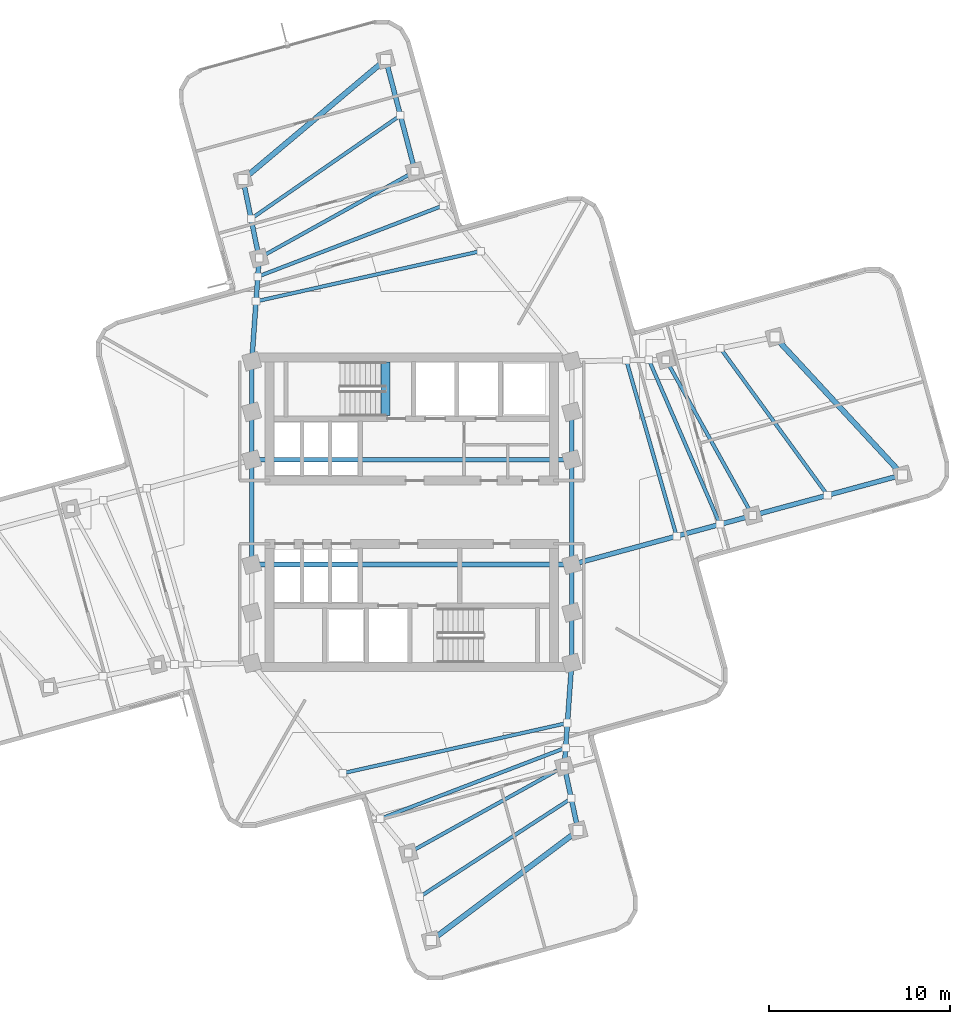
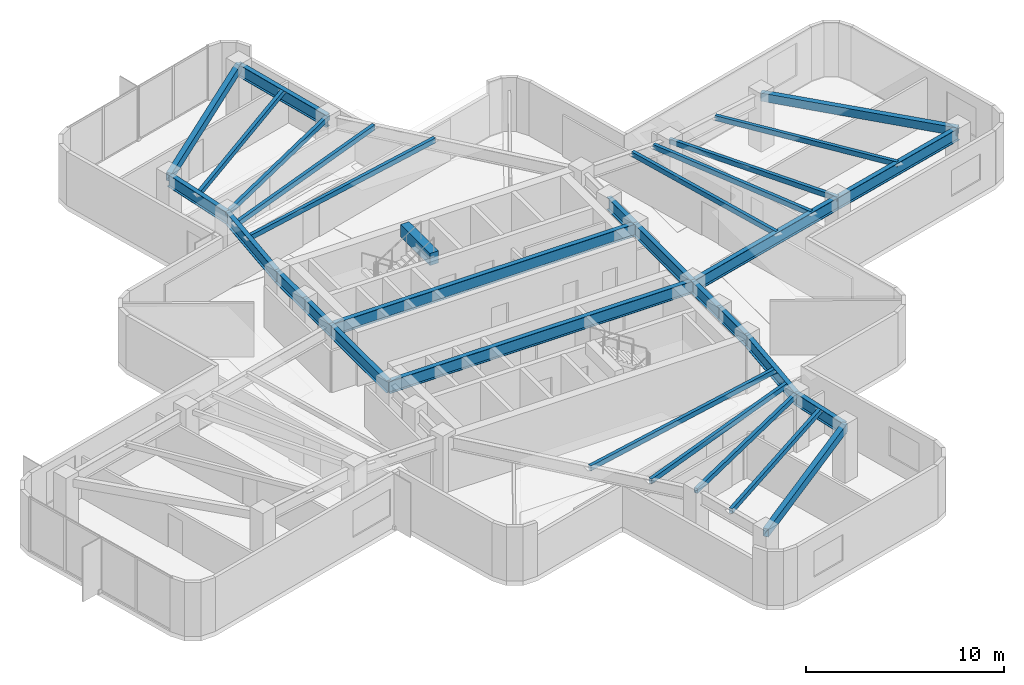
# One storey, part 4 of 12: 32 beams.
"""IFC4 building model written with IfcOpenShell, lengths in metres."""

import ifcopenshell
import ifcopenshell.guid

model = None  # the IFC model being written
_history = None  # IfcOwnerHistory: only IFC2X3 demands one
_inside = {}  # id of a spatial element -> (the spatial element, [elements in it])
_under = {}  # id of a project, library or spatial element -> (it, [spatial elements below it])
_declared = {}  # id of a project -> (the project, [libraries it declares])
_typed = {}  # id of a type object -> (the type object, [elements of that type])
_made_of = {}  # id of a material, layer set ... -> (it, [elements and type objects made of it])


def new_model(schema):
    """Start an empty IFC model of exactly this schema.

    Asked for "IFC4X3", IfcOpenShell would pick the latest addendum, in which some entities
    have other attributes; the version numbers below select the first issue.
    IFC2X3 requires an IfcOwnerHistory on every rooted entity: one is made here for all.
    """
    global model, _history
    if schema == "IFC4X3":
        model = ifcopenshell.file(schema_version=(4, 3, 0, 0))
    else:
        model = ifcopenshell.file(schema=schema)
    _inside.clear()
    _under.clear()
    _declared.clear()
    _typed.clear()
    _made_of.clear()
    _history = None
    if model.schema == "IFC2X3":
        org = make("IfcOrganization", Name="unknown")
        user = make(
            "IfcPersonAndOrganization",
            ThePerson=make("IfcPerson", FamilyName="unknown"),
            TheOrganization=org,
        )
        app = make(
            "IfcApplication",
            ApplicationDeveloper=org,
            Version="unknown",
            ApplicationFullName="unknown",
            ApplicationIdentifier="unknown",
        )
        _history = make(
            "IfcOwnerHistory",
            OwningUser=user,
            OwningApplication=app,
            ChangeAction="ADDED",
            CreationDate=0,
        )
    return model


def make(cls, **values):
    """One entity of the class cls with the attributes given. An attribute that is None is left unset."""
    return model.create_entity(
        cls, **{name: value for name, value in values.items() if value is not None}
    )


def rooted(cls, **values):
    """An entity with a GlobalId (a new one), such as an element, a storey or a relation."""
    return make(cls, GlobalId=ifcopenshell.guid.new(), OwnerHistory=_history, **values)


def si_unit(unit_type, name, prefix=None):
    """IfcSIUnit, for example si_unit("LENGTHUNIT", "METRE", prefix="MILLI")."""
    return make("IfcSIUnit", UnitType=unit_type, Prefix=prefix, Name=name)


def assignment(units):
    """IfcUnitAssignment: the units of a project."""
    return None if units is None else make("IfcUnitAssignment", Units=units)


def point(xyz):
    """IfcCartesianPoint."""
    return None if xyz is None else make("IfcCartesianPoint", Coordinates=xyz)


def direction(xyz):
    """IfcDirection."""
    return None if xyz is None else make("IfcDirection", DirectionRatios=xyz)


def frame(location, z_axis=None, x_axis=None):
    """IfcAxis2Placement3D, a coordinate frame: its origin and axes. An axis left out is left unset."""
    return make(
        "IfcAxis2Placement3D",
        Location=point(location),
        Axis=direction(z_axis),
        RefDirection=direction(x_axis),
    )


def frame_2d(location, x_axis=None):
    """IfcAxis2Placement2D, a coordinate frame in the plane: its origin and x axis."""
    return make(
        "IfcAxis2Placement2D", Location=point(location), RefDirection=direction(x_axis)
    )


def origin():
    """The frame at (0, 0, 0) with its axes left unset."""
    return frame((0.0, 0.0, 0.0))


def origin_2d():
    """The frame at (0, 0) in the plane with its x axis left unset."""
    return frame_2d((0.0, 0.0))


def place(relative_to, where):
    """IfcLocalPlacement: puts the frame where relative to a parent placement (None: the world)."""
    return make(
        "IfcLocalPlacement", PlacementRelTo=relative_to, RelativePlacement=where
    )


def context(
    kind, dimensions, precision=None, world=None, true_north=None, identifier=None
):
    """IfcGeometricRepresentationContext, for example the 3D "Model" context."""
    return make(
        "IfcGeometricRepresentationContext",
        ContextIdentifier=identifier,
        ContextType=kind,
        CoordinateSpaceDimension=dimensions,
        Precision=precision,
        WorldCoordinateSystem=world,
        TrueNorth=true_north,
    )


def subcontext(parent, identifier, kind, view, scale=None):
    """IfcGeometricRepresentationSubContext, for example "Body" below "Model"."""
    return make(
        "IfcGeometricRepresentationSubContext",
        ContextIdentifier=identifier,
        ContextType=kind,
        ParentContext=parent,
        TargetScale=scale,
        TargetView=view,
    )


def project(units=None, contexts=None):
    """IfcProject with its units and contexts."""
    return rooted(
        "IfcProject",
        Name="project",
        RepresentationContexts=contexts,
        UnitsInContext=assignment(units),
    )


def spatial(cls, under=None, at=None, **own):
    """A site, building, storey or space (cls), placed at a placement, below another one or the project."""
    s = rooted(cls, ObjectPlacement=at, **own)
    if under is not None:
        _under.setdefault(under.id(), (under, []))[1].append(s)
    return s


def profile(cls, at=None, kind="AREA", **sizes):
    """A parametric profile (cls). Its sizes go by their IFC names, for example OverallWidth=200.0."""
    return make(cls, ProfileType=kind, Position=at, **sizes)


def rectangle(**sizes):
    """IfcRectangleProfileDef."""
    return profile("IfcRectangleProfileDef", **sizes)


def hollow_rectangle(**sizes):
    """IfcRectangleHollowProfileDef."""
    return profile("IfcRectangleHollowProfileDef", **sizes)


def i_section(**sizes):
    """IfcIShapeProfileDef."""
    return profile("IfcIShapeProfileDef", **sizes)


def extrude(swept, where, along, depth):
    """IfcExtrudedAreaSolid: the profile swept, set in the frame where, extruded along a direction by depth."""
    return make(
        "IfcExtrudedAreaSolid",
        SweptArea=swept,
        Position=where,
        ExtrudedDirection=direction(along),
        Depth=depth,
    )


def shape(context_of_items, identifier, shape_type, items):
    """IfcShapeRepresentation: the items that make up one representation, for example the "Body"."""
    return make(
        "IfcShapeRepresentation",
        ContextOfItems=context_of_items,
        RepresentationIdentifier=identifier,
        RepresentationType=shape_type,
        Items=items,
    )


def material(Name=None, Category=None):
    """IfcMaterial."""
    return make("IfcMaterial", Name=Name, Category=Category)


def material_profile(
    of_material, cross_section, Name=None, Category=None, Priority=None
):
    """IfcMaterialProfile: a cross section and its material."""
    return make(
        "IfcMaterialProfile",
        Name=Name,
        Material=of_material,
        Profile=cross_section,
        Priority=Priority,
        Category=Category,
    )


def profile_set(profiles, Name=None, composite=None):
    """IfcMaterialProfileSet."""
    return make(
        "IfcMaterialProfileSet",
        Name=Name,
        MaterialProfiles=profiles,
        CompositeProfile=composite,
    )


def made_of(thing, what):
    """Note that an element or type object is made of a material, layer set ...; save() writes the relation."""
    if what is not None:
        _made_of.setdefault(what.id(), (what, []))[1].append(thing)
    return thing


def type_object(cls, material=None, **own):
    """A type object (cls), such as IfcWallType, which elements share."""
    return made_of(rooted(cls, **own), material)


def element(
    cls,
    number,
    at=None,
    inside=None,
    cuts=None,
    type_object=None,
    material=None,
    context=None,
    identifier="Body",
    shape_type=None,
    held_by="IfcProductDefinitionShape",
    body=None,
    shapes=None,
    **own,
):
    """One element of the class cls, such as IfcWall. Its Tag is "e" and its number.

    at: its placement. inside: the storey or other place that contains it. cuts: it is an
    opening in that element (IfcRelVoidsElement). A single representation is given by context,
    identifier, shape_type and body (its items); several are given by shapes. held_by: the class
    of the entity that holds the representations. save() writes the other relations.
    """
    e = rooted(cls, Tag="e%d" % number, ObjectPlacement=at, **own)
    if body is not None:
        shapes = [shape(context, identifier, shape_type, body)]
    if shapes is not None:
        e.Representation = make(held_by, Representations=shapes)
    if inside is not None:
        _inside.setdefault(inside.id(), (inside, []))[1].append(e)
    if cuts is not None:
        rooted(
            "IfcRelVoidsElement", RelatingBuildingElement=cuts, RelatedOpeningElement=e
        )
    if type_object is not None:
        _typed.setdefault(type_object.id(), (type_object, []))[1].append(e)
    return made_of(e, material)


def aggregate(whole, parts):
    """IfcRelAggregates: a whole, such as a stair, and the parts it consists of."""
    return rooted("IfcRelAggregates", RelatingObject=whole, RelatedObjects=parts)


def save(model, path):
    """Write the relations noted so far, then the file.

    IfcRelAggregates (storeys below a building ...), IfcRelContainedInSpatialStructure (elements
    in a storey), IfcRelDefinesByType, IfcRelAssociatesMaterial and IfcRelDeclares: one each for
    every whole, place, type object, material and project.
    """
    for whole, parts in _under.values():
        aggregate(whole, parts)
    for where, things in _inside.values():
        rooted(
            "IfcRelContainedInSpatialStructure",
            RelatedElements=things,
            RelatingStructure=where,
        )
    for kind, things in _typed.values():
        rooted("IfcRelDefinesByType", RelatedObjects=things, RelatingType=kind)
    for what, things in _made_of.values():
        rooted("IfcRelAssociatesMaterial", RelatedObjects=things, RelatingMaterial=what)
    for by, libraries in _declared.values():
        rooted("IfcRelDeclares", RelatingContext=by, RelatedDefinitions=libraries)
    model.write(path)


model = new_model("IFC4")

# Units and contexts
model_context = context("Model", 3, precision=1e-05, world=origin(), true_north=direction((0.0, 1.0)))
body_context = subcontext(model_context, "Body", "Model", "MODEL_VIEW")
ifc_project = project(units=[si_unit("LENGTHUNIT", "METRE"), si_unit("AREAUNIT", "SQUARE_METRE"), si_unit("VOLUMEUNIT", "CUBIC_METRE"), si_unit("PLANEANGLEUNIT", "RADIAN"), si_unit("MASSUNIT", "GRAM", prefix="KILO")], contexts=[model_context])

# Site, building, storey
site_placement = place(None, origin())
site = spatial("IfcSite", under=ifc_project, at=site_placement, CompositionType="ELEMENT")
building_placement = place(site_placement, origin())
building = spatial("IfcBuilding", under=site, at=building_placement, Name="Solmarez Civic Tower", CompositionType="ELEMENT")
storey_placement = place(building_placement, frame((0.0, 0.0, 134.280029296875)))
storey = spatial("IfcBuildingStorey", under=building, at=storey_placement, Name="L35", CompositionType="ELEMENT", Elevation=134.280029296875)

# Beams
ifc_material_1 = material(Name="Steel S355", Category="steel")
ifc_material_profile_1 = material_profile(ifc_material_1, hollow_rectangle(XDim=0.199951171875, YDim=0.300048828125, WallThickness=0.011962890625, at=origin_2d()), Name="HSS300X200X12")
ifc_profile_set_1 = profile_set([ifc_material_profile_1], Name="Steel S355")
beam_type_1 = type_object("IfcBeamType", Name="BM-JS-HSS300X200", PredefinedType="JOIST", material=ifc_profile_set_1)
beam_1_placement = place(storey_placement, frame((18.860107421875, -0.18310546875, 3.169921875), z_axis=(-0.485852902718, 0.874040592261, 0.0), x_axis=(-0.874040592261, -0.485852902718, 0.0)))
element("IfcBeam", 1, at=beam_1_placement, inside=storey, type_object=beam_type_1, Name="L35 Secondary Floor Joist BM-L35-EA-T1", PredefinedType="JOIST", context=body_context, shape_type="SweptSolid", body=[
    extrude(hollow_rectangle(XDim=0.199951171875, YDim=0.300048828125, WallThickness=0.011962890625, at=origin_2d()), origin(), (0.0, 0.0, 1.0), 9.87158203125),
])
beam_2_placement = place(storey_placement, frame((23.006103515625, 0.94091796875, 3.169921875), z_axis=(-0.589058914091, 0.808090091345, 0.0), x_axis=(-0.808090091345, -0.589058914091, 0.0)))
element("IfcBeam", 2, at=beam_2_placement, inside=storey, type_object=beam_type_1, Name="L35 Secondary Floor Joist JS-L35-EA-M2", PredefinedType="JOIST", context=body_context, shape_type="SweptSolid", body=[
    extrude(hollow_rectangle(XDim=0.199951171875, YDim=0.300048828125, WallThickness=0.011962890625, at=origin_2d()), origin(), (0.0, 0.0, 1.0), 10.05859375),
])
beam_3_placement = place(storey_placement, frame((14.656005859375, -1.323974609375, 3.169921875), z_axis=(-0.27492825036, 0.961464745664, 0.0), x_axis=(-0.961464745664, -0.27492825036, 0.0)))
element("IfcBeam", 3, at=beam_3_placement, inside=storey, type_object=beam_type_1, Name="L35 Secondary Floor Joist JS-L35-EA-M11", PredefinedType="JOIST", context=body_context, shape_type="SweptSolid", body=[
    extrude(hollow_rectangle(XDim=0.199951171875, YDim=0.300048828125, WallThickness=0.011962890625, at=origin_2d()), origin(), (0.0, 0.0, 1.0), 10.118896484375),
])
beam_4_placement = place(storey_placement, frame((17.05810546875, -0.672119140625, 3.169921875), z_axis=(-0.396735074316, 0.917933157048, 0.0), x_axis=(-0.917933157048, -0.396735074316, 0.0)))
element("IfcBeam", 4, at=beam_4_placement, inside=storey, type_object=beam_type_1, Name="L35 Secondary Floor Joist JS-L35-EA-M12", PredefinedType="JOIST", context=body_context, shape_type="SweptSolid", body=[
    extrude(hollow_rectangle(XDim=0.199951171875, YDim=0.300048828125, WallThickness=0.011962890625, at=origin_2d()), origin(), (0.0, 0.0, 1.0), 9.91357421875),
])
beam_5_placement = place(storey_placement, frame((0.18310546875, 18.860107421875, 3.169921875), z_axis=(-0.874040592261, -0.485852902718, 0.0), x_axis=(0.485852902718, -0.874040592261, 0.0)))
element("IfcBeam", 5, at=beam_5_placement, inside=storey, type_object=beam_type_1, Name="L35 Secondary Floor Joist BM-L35-NA-T1", PredefinedType="JOIST", context=body_context, shape_type="SweptSolid", body=[
    extrude(hollow_rectangle(XDim=0.199951171875, YDim=0.300048828125, WallThickness=0.011962890625, at=origin_2d()), origin(), (0.0, 0.0, 1.0), 9.87158203125),
])
beam_6_placement = place(storey_placement, frame((-0.626953125, 21.9560546875, 3.169921875), z_axis=(-0.822185194468, -0.56922008573, 0.0), x_axis=(0.56922008573, -0.822185194468, 0.0)))
element("IfcBeam", 6, at=beam_6_placement, inside=storey, type_object=beam_type_1, Name="L35 Secondary Floor Joist JS-L35-NA-M2", PredefinedType="JOIST", context=body_context, shape_type="SweptSolid", body=[
    extrude(hollow_rectangle(XDim=0.199951171875, YDim=0.300048828125, WallThickness=0.011962890625, at=origin_2d()), origin(), (0.0, 0.0, 1.0), 10.048828125),
])
beam_7_placement = place(storey_placement, frame((3.822998046875, 14.446044921875, 3.169921875), z_axis=(-0.975887310906, -0.218274955988, 0.0), x_axis=(0.218274955988, -0.975887310906, 0.0)))
element("IfcBeam", 7, at=beam_7_placement, inside=storey, type_object=beam_type_1, Name="L35 Secondary Floor Joist JS-L35-NA-M11", PredefinedType="JOIST", context=body_context, shape_type="SweptSolid", body=[
    extrude(hollow_rectangle(XDim=0.199951171875, YDim=0.300048828125, WallThickness=0.011962890625, at=origin_2d()), origin(), (0.0, 0.0, 1.0), 12.745361328125),
])
beam_8_placement = place(storey_placement, frame((1.742919921875, 16.968017578125, 3.169921875), z_axis=(-0.933754408709, -0.357914381125, 0.0), x_axis=(0.357914381125, -0.933754408709, 0.0)))
element("IfcBeam", 8, at=beam_8_placement, inside=storey, type_object=beam_type_1, Name="L35 Secondary Floor Joist JS-L35-NA-M12", PredefinedType="JOIST", context=body_context, shape_type="SweptSolid", body=[
    extrude(hollow_rectangle(XDim=0.199951171875, YDim=0.300048828125, WallThickness=0.011962890625, at=origin_2d()), origin(), (0.0, 0.0, 1.0), 10.989013671875),
])
beam_9_placement = place(storey_placement, frame((-0.18310546875, -18.860107421875, 3.169921875), z_axis=(0.874040592261, 0.485852902718, 0.0), x_axis=(-0.485852902718, 0.874040592261, 0.0)))
element("IfcBeam", 9, at=beam_9_placement, inside=storey, type_object=beam_type_1, Name="L35 Secondary Floor Joist BM-L35-SA-T1", PredefinedType="JOIST", context=body_context, shape_type="SweptSolid", body=[
    extrude(hollow_rectangle(XDim=0.199951171875, YDim=0.300048828125, WallThickness=0.011962890625, at=origin_2d()), origin(), (0.0, 0.0, 1.0), 9.87158203125),
])
beam_10_placement = place(storey_placement, frame((0.449951171875, -21.279052734375, 3.169921875), z_axis=(0.83864684805, 0.54467555871, 0.0), x_axis=(-0.54467555871, 0.83864684805, 0.0)))
element("IfcBeam", 10, at=beam_10_placement, inside=storey, type_object=beam_type_1, Name="L35 Secondary Floor Joist JS-L35-SA-M2", PredefinedType="JOIST", context=body_context, shape_type="SweptSolid", body=[
    extrude(hollow_rectangle(XDim=0.199951171875, YDim=0.300048828125, WallThickness=0.011962890625, at=origin_2d()), origin(), (0.0, 0.0, 1.0), 9.987548828125),
])
beam_11_placement = place(storey_placement, frame((-3.822998046875, -14.446044921875, 3.169921875), z_axis=(0.975887310906, 0.218274955988, 0.0), x_axis=(-0.218274955988, 0.975887310906, 0.0)))
element("IfcBeam", 11, at=beam_11_placement, inside=storey, type_object=beam_type_1, Name="L35 Secondary Floor Joist JS-L35-SA-M11", PredefinedType="JOIST", context=body_context, shape_type="SweptSolid", body=[
    extrude(hollow_rectangle(XDim=0.199951171875, YDim=0.300048828125, WallThickness=0.011962890625, at=origin_2d()), origin(), (0.0, 0.0, 1.0), 12.745361328125),
])
beam_12_placement = place(storey_placement, frame((-1.742919921875, -16.968017578125, 3.169921875), z_axis=(0.933754408709, 0.357914381125, 0.0), x_axis=(-0.357914381125, 0.933754408709, 0.0)))
element("IfcBeam", 12, at=beam_12_placement, inside=storey, type_object=beam_type_1, Name="L35 Secondary Floor Joist JS-L35-SA-M12", PredefinedType="JOIST", context=body_context, shape_type="SweptSolid", body=[
    extrude(hollow_rectangle(XDim=0.199951171875, YDim=0.300048828125, WallThickness=0.011962890625, at=origin_2d()), origin(), (0.0, 0.0, 1.0), 10.989013671875),
])
ifc_material_2 = material(Name="Concrete C50/60", Category="concrete")
ifc_material_profile_2 = material_profile(ifc_material_2, rectangle(XDim=0.5, YDim=0.75, at=origin_2d()), Name="RC500X750")
ifc_profile_set_2 = profile_set([ifc_material_profile_2], Name="Concrete C50/60")
beam_type_2 = type_object("IfcBeamType", Name="BM-PR-RC500X750", PredefinedType="BEAM", material=ifc_profile_set_2)
beam_13_placement = place(storey_placement, frame((-1.449951171875, 5.340087890625, 3.23291015625), z_axis=(0.0, 1.0, 0.0), x_axis=(-1.0, 0.0, 0.0)))
element("IfcBeam", 13, at=beam_13_placement, inside=storey, type_object=beam_type_2, Name="L35 North Stair Threshold Beam", PredefinedType="BEAM", context=body_context, shape_type="SweptSolid", body=[
    extrude(rectangle(XDim=0.5, YDim=0.75, at=origin_2d()), origin(), (0.0, 0.0, 1.0), 2.9599609375),
])
ifc_material_profile_3 = material_profile(ifc_material_1, i_section(OverallWidth=0.26708984375, OverallDepth=0.761962890625, WebThickness=0.014404296875, FlangeThickness=0.021484375, at=origin_2d()), Name="W30X116")
ifc_profile_set_3 = profile_set([ifc_material_profile_3], Name="Steel S355")
beam_type_3 = type_object("IfcBeamType", Name="BM-PR-W30X116", PredefinedType="BEAM", material=ifc_profile_set_3)
beam_14_placement = place(storey_placement, frame((-8.85009765625, -2.89990234375, 2.93896484375), z_axis=(0.0, 1.0, 0.0), x_axis=(-1.0, 0.0, 0.0)))
element("IfcBeam", 14, at=beam_14_placement, inside=storey, type_object=beam_type_3, Name="L35 Primary Floor Beam BM-L35-HC2-HC3", PredefinedType="BEAM", context=body_context, shape_type="SweptSolid", body=[
    extrude(i_section(OverallWidth=0.26708984375, OverallDepth=0.761962890625, WebThickness=0.014404296875, FlangeThickness=0.021484375, at=origin_2d()), origin(), (0.0, 0.0, 1.0), 5.7998046875),
])
beam_15_placement = place(storey_placement, frame((-8.85009765625, 2.89990234375, 2.93896484375), z_axis=(0.0, 1.0, 0.0), x_axis=(-1.0, 0.0, 0.0)))
element("IfcBeam", 15, at=beam_15_placement, inside=storey, type_object=beam_type_3, Name="L35 Primary Floor Beam BM-L35-HC3-HC4", PredefinedType="BEAM", context=body_context, shape_type="SweptSolid", body=[
    extrude(i_section(OverallWidth=0.26708984375, OverallDepth=0.761962890625, WebThickness=0.014404296875, FlangeThickness=0.021484375, at=origin_2d()), origin(), (0.0, 0.0, 1.0), 2.650146484375),
])
for number, where, z_axis, x_axis, name in (
    (16, (-8.85009765625, 5.550048828125, 2.93896484375), (0.0, 1.0, 0.0), (-1.0, 0.0, 0.0), "L35 Primary Floor Beam BM-L35-HC4-HC9"),
    (17, (8.85009765625, -8.35009765625, 2.93896484375), (0.0, 1.0, 0.0), (-1.0, 0.0, 0.0), "L35 Primary Floor Beam BM-L35-HC10-HC5"),
):
    element("IfcBeam", number, at=place(storey_placement, frame(where, z_axis=z_axis, x_axis=x_axis)), inside=storey, type_object=beam_type_3, Name=name, PredefinedType="BEAM", context=body_context, shape_type="SweptSolid", body=[
        extrude(i_section(OverallWidth=0.26708984375, OverallDepth=0.761962890625, WebThickness=0.014404296875, FlangeThickness=0.021484375, at=origin_2d()), origin(), (0.0, 0.0, 1.0), 2.800048828125),
    ])
beam_16_placement = place(storey_placement, frame((8.85009765625, -5.550048828125, 2.93896484375), z_axis=(0.0, 1.0, 0.0), x_axis=(-1.0, 0.0, 0.0)))
element("IfcBeam", 18, at=beam_16_placement, inside=storey, type_object=beam_type_3, Name="L35 Primary Floor Beam BM-L35-HC5-HC6", PredefinedType="BEAM", context=body_context, shape_type="SweptSolid", body=[
    extrude(i_section(OverallWidth=0.26708984375, OverallDepth=0.761962890625, WebThickness=0.014404296875, FlangeThickness=0.021484375, at=origin_2d()), origin(), (0.0, 0.0, 1.0), 2.650146484375),
])
beam_17_placement = place(storey_placement, frame((8.85009765625, -2.89990234375, 2.93896484375), z_axis=(0.0, 1.0, 0.0), x_axis=(-1.0, 0.0, 0.0)))
element("IfcBeam", 19, at=beam_17_placement, inside=storey, type_object=beam_type_3, Name="L35 Primary Floor Beam BM-L35-HC6-HC7", PredefinedType="BEAM", context=body_context, shape_type="SweptSolid", body=[
    extrude(i_section(OverallWidth=0.26708984375, OverallDepth=0.761962890625, WebThickness=0.014404296875, FlangeThickness=0.021484375, at=origin_2d()), origin(), (0.0, 0.0, 1.0), 5.7998046875),
])
beam_18_placement = place(storey_placement, frame((8.85009765625, 2.89990234375, 2.93896484375), z_axis=(0.0, 1.0, 0.0), x_axis=(-1.0, 0.0, 0.0)))
element("IfcBeam", 20, at=beam_18_placement, inside=storey, type_object=beam_type_3, Name="L35 Primary Floor Beam BM-L35-HC7-HC8", PredefinedType="BEAM", context=body_context, shape_type="SweptSolid", body=[
    extrude(i_section(OverallWidth=0.26708984375, OverallDepth=0.761962890625, WebThickness=0.014404296875, FlangeThickness=0.021484375, at=origin_2d()), origin(), (0.0, 0.0, 1.0), 2.650146484375),
])
for number, where, z_axis, x_axis, name in (
    (21, (-8.85009765625, -2.89990234375, 2.93896484375), (1.0, 0.0, 0.0), (0.0, 1.0, 0.0), "L35 Primary Floor Beam BM-L35-HC2-HC6"),
    (22, (-8.85009765625, 2.89990234375, 2.93896484375), (1.0, 0.0, 0.0), (0.0, 1.0, 0.0), "L35 Primary Floor Beam BM-L35-HC3-HC7"),
):
    element("IfcBeam", number, at=place(storey_placement, frame(where, z_axis=z_axis, x_axis=x_axis)), inside=storey, type_object=beam_type_3, Name=name, PredefinedType="BEAM", context=body_context, shape_type="SweptSolid", body=[
        extrude(i_section(OverallWidth=0.26708984375, OverallDepth=0.761962890625, WebThickness=0.014404296875, FlangeThickness=0.021484375, at=origin_2d()), origin(), (0.0, 0.0, 1.0), 17.7001953125),
    ])
beam_19_placement = place(storey_placement, frame((8.85009765625, -2.89990234375, 2.93896484375), z_axis=(0.965086289853, 0.261932153691, 0.0), x_axis=(-0.261932153691, 0.965086289853, 0.0)))
element("IfcBeam", 23, at=beam_19_placement, inside=storey, type_object=beam_type_3, Name="L35 Primary Floor Beam BM-L35-EA-R1A", PredefinedType="BEAM", context=body_context, shape_type="SweptSolid", body=[
    extrude(i_section(OverallWidth=0.26708984375, OverallDepth=0.761962890625, WebThickness=0.014404296875, FlangeThickness=0.021484375, at=origin_2d()), origin(), (0.0, 0.0, 1.0), 10.3720703125),
])
beam_20_placement = place(storey_placement, frame((18.860107421875, -0.18310546875, 2.93896484375), z_axis=(0.965195296066, 0.261530190326, 0.0), x_axis=(-0.261530190326, 0.965195296066, 0.0)))
element("IfcBeam", 24, at=beam_20_placement, inside=storey, type_object=beam_type_3, Name="L35 Primary Floor Beam BM-L35-EA-R2A", PredefinedType="BEAM", context=body_context, shape_type="SweptSolid", body=[
    extrude(i_section(OverallWidth=0.26708984375, OverallDepth=0.761962890625, WebThickness=0.014404296875, FlangeThickness=0.021484375, at=origin_2d()), origin(), (0.0, 0.0, 1.0), 8.592041015625),
])
beam_21_placement = place(storey_placement, frame((-8.85009765625, 8.35009765625, 2.93896484375), z_axis=(0.070707897353, 0.997497064282, 0.0), x_axis=(-0.997497064282, 0.070707897353, 0.0)))
element("IfcBeam", 25, at=beam_21_placement, inside=storey, type_object=beam_type_3, Name="L35 Primary Floor Beam BM-L35-NA-R1B", PredefinedType="BEAM", context=body_context, shape_type="SweptSolid", body=[
    extrude(i_section(OverallWidth=0.26708984375, OverallDepth=0.761962890625, WebThickness=0.014404296875, FlangeThickness=0.021484375, at=origin_2d()), origin(), (0.0, 0.0, 1.0), 5.728271484375),
])
beam_22_placement = place(storey_placement, frame((0.18310546875, 18.860107421875, 2.93896484375), z_axis=(-0.25312990791, 0.967432297229, 0.0), x_axis=(-0.967432297229, -0.25312990791, 0.0)))
element("IfcBeam", 26, at=beam_22_placement, inside=storey, type_object=beam_type_3, Name="L35 Primary Floor Beam BM-L35-NA-R2A", PredefinedType="BEAM", context=body_context, shape_type="SweptSolid", body=[
    extrude(i_section(OverallWidth=0.26708984375, OverallDepth=0.761962890625, WebThickness=0.014404296875, FlangeThickness=0.021484375, at=origin_2d()), origin(), (0.0, 0.0, 1.0), 6.400390625),
])
beam_23_placement = place(storey_placement, frame((-8.445068359375, 14.06396484375, 2.93896484375), z_axis=(-0.200222099018, 0.979750535118, 0.0), x_axis=(-0.979750535118, -0.200222099018, 0.0)))
element("IfcBeam", 27, at=beam_23_placement, inside=storey, type_object=beam_type_3, Name="L35 Primary Floor Beam BM-L35-NA-R2B", PredefinedType="BEAM", context=body_context, shape_type="SweptSolid", body=[
    extrude(i_section(OverallWidth=0.26708984375, OverallDepth=0.761962890625, WebThickness=0.014404296875, FlangeThickness=0.021484375, at=origin_2d()), origin(), (0.0, 0.0, 1.0), 4.434814453125),
])
beam_24_placement = place(storey_placement, frame((8.85009765625, -8.35009765625, 2.93896484375), z_axis=(-0.070707897353, -0.997497064282, 0.0), x_axis=(0.997497064282, -0.070707897353, 0.0)))
element("IfcBeam", 28, at=beam_24_placement, inside=storey, type_object=beam_type_3, Name="L35 Primary Floor Beam BM-L35-SA-R1B", PredefinedType="BEAM", context=body_context, shape_type="SweptSolid", body=[
    extrude(i_section(OverallWidth=0.26708984375, OverallDepth=0.761962890625, WebThickness=0.014404296875, FlangeThickness=0.021484375, at=origin_2d()), origin(), (0.0, 0.0, 1.0), 5.728271484375),
])
beam_25_placement = place(storey_placement, frame((8.445068359375, -14.06396484375, 2.93896484375), z_axis=(0.210056967216, -0.977689148208, 0.0), x_axis=(0.977689148208, 0.210056967216, 0.0)))
element("IfcBeam", 29, at=beam_25_placement, inside=storey, type_object=beam_type_3, Name="L35 Primary Floor Beam BM-L35-SA-R2B", PredefinedType="BEAM", context=body_context, shape_type="SweptSolid", body=[
    extrude(i_section(OverallWidth=0.26708984375, OverallDepth=0.761962890625, WebThickness=0.014404296875, FlangeThickness=0.021484375, at=origin_2d()), origin(), (0.0, 0.0, 1.0), 3.632080078125),
])
ifc_material_profile_4 = material_profile(ifc_material_1, hollow_rectangle(XDim=0.300048828125, YDim=0.5, WallThickness=0.02001953125, at=origin_2d()), Name="HSS500X300X20")
ifc_profile_set_4 = profile_set([ifc_material_profile_4], Name="Steel S355")
beam_type_4 = type_object("IfcBeamType", Name="BM-SP-HSS500X300", PredefinedType="SPANDREL", material=ifc_profile_set_4)
beam_26_placement = place(storey_placement, frame((27.153076171875, 2.06396484375, 3.070068359375), z_axis=(-0.679007792344, 0.734131063187, 0.0), x_axis=(-0.734131063187, -0.679007792344, 0.0)))
element("IfcBeam", 30, at=beam_26_placement, inside=storey, type_object=beam_type_4, Name="L35 Perimeter Spandrel Beam BM-L35-EA-T2", PredefinedType="SPANDREL", context=body_context, shape_type="SweptSolid", body=[
    extrude(hollow_rectangle(XDim=0.300048828125, YDim=0.5, WallThickness=0.02001953125, at=origin_2d()), origin(), (0.0, 0.0, 1.0), 10.390380859375),
])
beam_27_placement = place(storey_placement, frame((-1.43701171875, 25.052001953125, 3.070068359375), z_axis=(-0.765206846446, -0.643784499777, 0.0), x_axis=(0.643784499777, -0.765206846446, 0.0)))
element("IfcBeam", 31, at=beam_27_placement, inside=storey, type_object=beam_type_4, Name="L35 Perimeter Spandrel Beam BM-L35-NA-T2", PredefinedType="SPANDREL", context=body_context, shape_type="SweptSolid", body=[
    extrude(hollow_rectangle(XDim=0.300048828125, YDim=0.5, WallThickness=0.02001953125, at=origin_2d()), origin(), (0.0, 0.0, 1.0), 10.31884765625),
])
beam_28_placement = place(storey_placement, frame((1.0830078125, -23.697021484375, 3.070068359375), z_axis=(0.800553888314, 0.599260771205, 0.0), x_axis=(-0.599260771205, 0.800553888314, 0.0)))
element("IfcBeam", 32, at=beam_28_placement, inside=storey, type_object=beam_type_4, Name="L35 Perimeter Spandrel Beam BM-L35-SA-T2", PredefinedType="SPANDREL", context=body_context, shape_type="SweptSolid", body=[
    extrude(hollow_rectangle(XDim=0.300048828125, YDim=0.5, WallThickness=0.02001953125, at=origin_2d()), origin(), (0.0, 0.0, 1.0), 10.149169921875),
])

save(model, "model.ifc")
